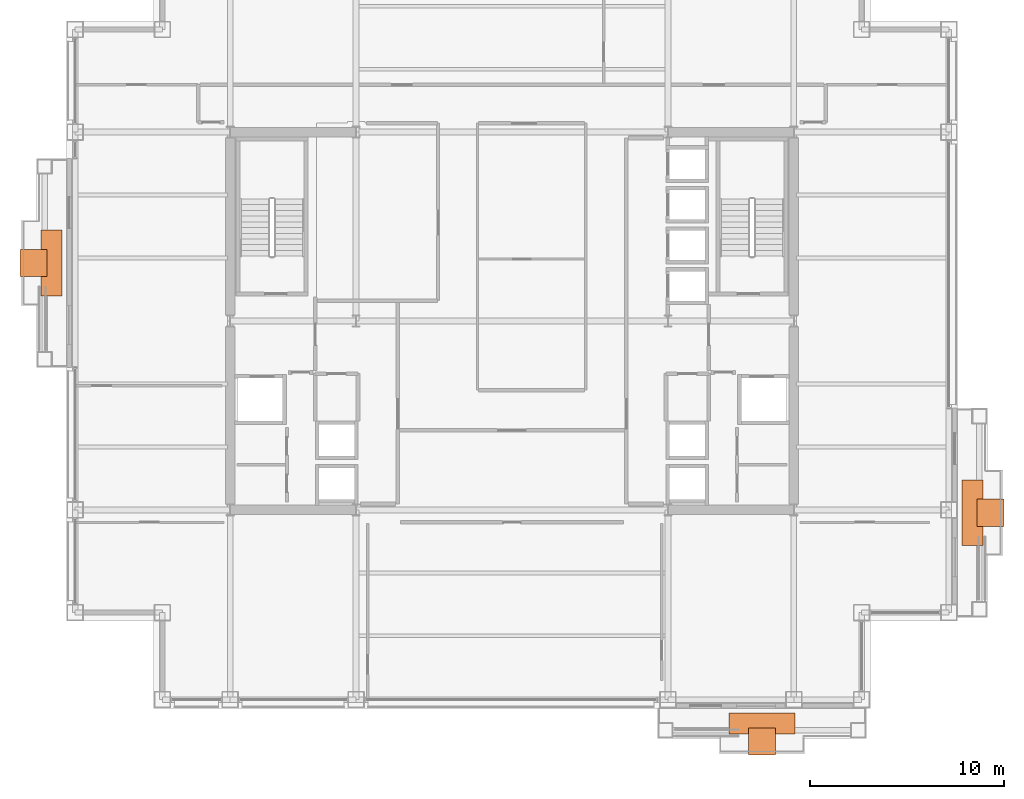
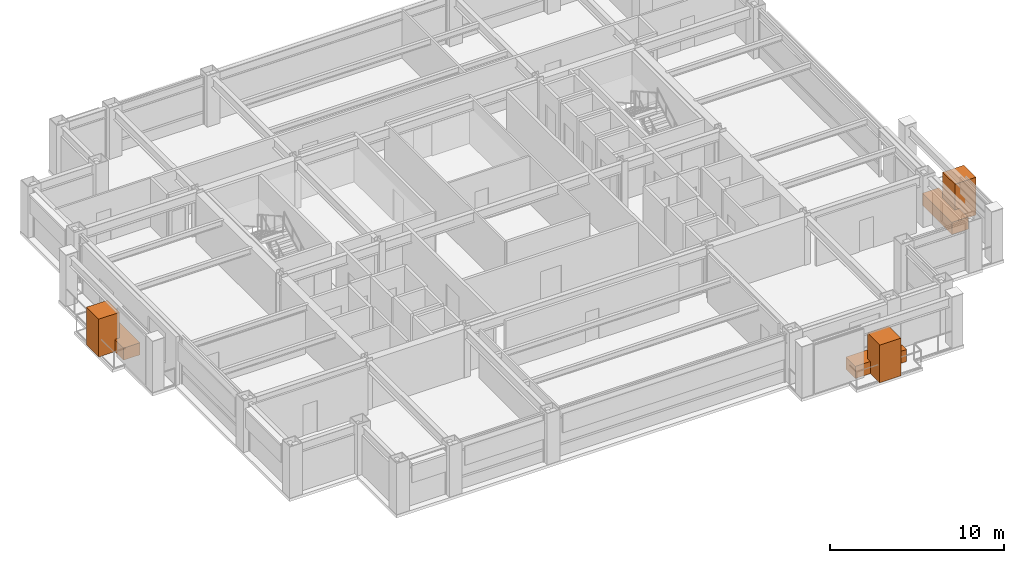
# One storey, part 29 of 29: 6 proxies.
"""IFC4 building model written with IfcOpenShell, lengths in metres."""

from ifc_helpers import new_model, si_unit, direction, frame, origin, origin_2d, place, context, subcontext, project, spatial, rectangle, extrude, material, type_object, element, save


model = new_model("IFC4")

# Units and contexts
model_context = context("Model", 3, precision=1e-05, world=origin(), true_north=direction((0.0, 1.0)))
body_context = subcontext(model_context, "Body", "Model", "MODEL_VIEW")
ifc_project = project(units=[si_unit("LENGTHUNIT", "METRE"), si_unit("AREAUNIT", "SQUARE_METRE"), si_unit("VOLUMEUNIT", "CUBIC_METRE"), si_unit("PLANEANGLEUNIT", "RADIAN"), si_unit("MASSUNIT", "GRAM", prefix="KILO")], contexts=[model_context])

# Site, building, storey
site_placement = place(None, origin())
site = spatial("IfcSite", under=ifc_project, at=site_placement, CompositionType="ELEMENT")
building_placement = place(site_placement, origin())
building = spatial("IfcBuilding", under=site, at=building_placement, Name="Brelmoor Portico Tower", CompositionType="ELEMENT")
storey_placement = place(building_placement, frame((0.0, 0.0, 95.39990234375)))
storey = spatial("IfcBuildingStorey", under=building, at=storey_placement, Name="L24", CompositionType="ELEMENT", Elevation=95.39990234375)

# Proxies
ifc_material_1 = material(Name="Planted Canopy Tree and Soil Rootball", Category="other")
building_element_proxy_type_1 = type_object("IfcBuildingElementProxyType", Name="BALCONY TREE ARBOR", PredefinedType="USERDEFINED", material=ifc_material_1)
for number, where, z_axis, x_axis, name in (
    (1, (12.89990234375, -21.699951171875, 0.000244140625), (0.0, 0.0, 1.0), (1.0, 0.0, 0.0), "L24 Balcony PLANTER Tree Canopy Arbor S"),
    (2, (24.699951171875, -9.89990234375, 0.000244140625), (0.0, 0.0, 1.0), (1.0, 0.0, 0.0), "L24 Balcony PLANTER Tree Canopy Arbor E"),
    (3, (-24.699951171875, 3.0, 0.000244140625), (0.0, 0.0, 1.0), (1.0, 0.0, 0.0), "L24 Balcony PLANTER Tree Canopy Arbor W"),
):
    element("IfcBuildingElementProxy", number, at=place(storey_placement, frame(where, z_axis=z_axis, x_axis=x_axis)), inside=storey, type_object=building_element_proxy_type_1, Name=name, ObjectType="PLANTER", PredefinedType="USERDEFINED", context=body_context, shape_type="SweptSolid", body=[
        extrude(rectangle(XDim=1.39990234375, YDim=1.39990234375, at=origin_2d()), origin(), (0.0, 0.0, 1.0), 2.64990234375),
    ])
ifc_material_2 = material(Name="Architectural Precast Concrete C40", Category="concrete")
building_element_proxy_type_2 = type_object("IfcBuildingElementProxyType", Name="TREE PLANTER", PredefinedType="USERDEFINED", material=ifc_material_2)
for number, where, z_axis, x_axis, name in (
    (4, (12.89990234375, -20.77490234375, 0.0), (0.0, 0.0, 1.0), (1.0, 0.0, 0.0), "L24 Planted Tree Planter S"),
    (5, (23.77490234375, -9.89990234375, 0.0), (0.0, 0.0, 1.0), (0.0, 1.0, 0.0), "L24 Planted Tree Planter E"),
    (6, (-23.77490234375, 3.0, 0.0), (0.0, 0.0, 1.0), (0.0, 1.0, 0.0), "L24 Planted Tree Planter W"),
):
    element("IfcBuildingElementProxy", number, at=place(storey_placement, frame(where, z_axis=z_axis, x_axis=x_axis)), inside=storey, type_object=building_element_proxy_type_2, Name=name, ObjectType="PLANTER", PredefinedType="USERDEFINED", context=body_context, shape_type="SweptSolid", body=[
        extrude(rectangle(XDim=3.39990234375, YDim=1.10009765625, at=origin_2d()), origin(), (0.0, 0.0, 1.0), 0.85009765625),
    ])

save(model, "model.ifc")
